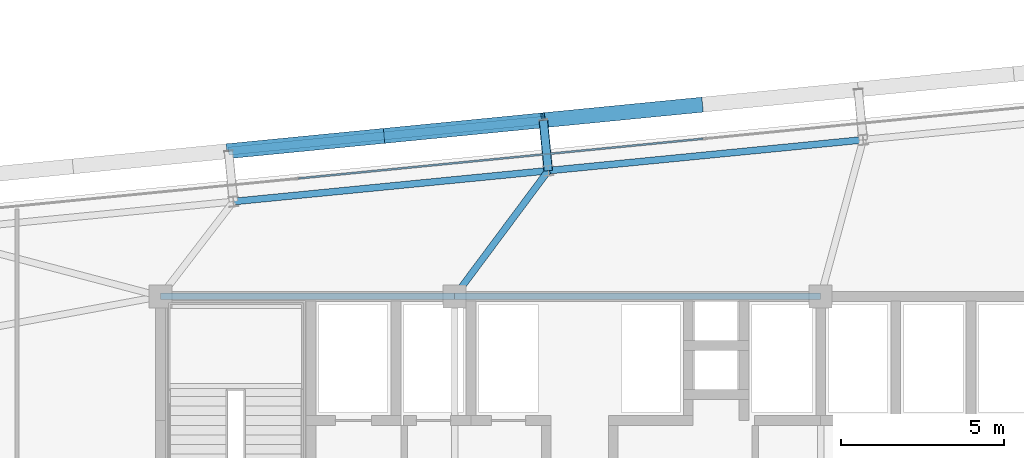
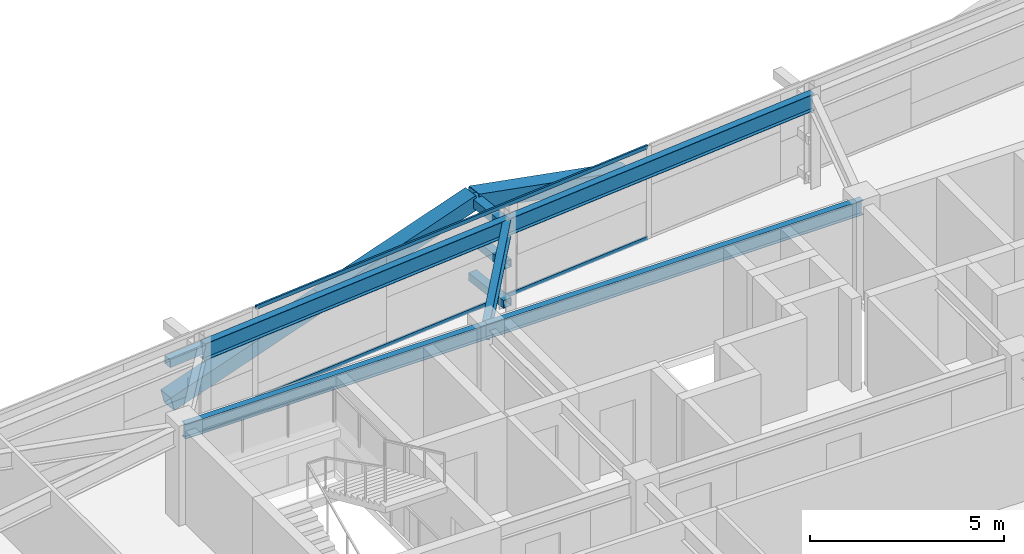
# One storey, part 26 of 47: 9 members, 5 beams, 1 element without a shape of its own.
"""IFC4 building model written with IfcOpenShell, lengths in metres."""

import ifcopenshell
import ifcopenshell.guid

model = None  # the IFC model being written
_history = None  # IfcOwnerHistory: only IFC2X3 demands one
_inside = {}  # id of a spatial element -> (the spatial element, [elements in it])
_under = {}  # id of a project, library or spatial element -> (it, [spatial elements below it])
_declared = {}  # id of a project -> (the project, [libraries it declares])
_typed = {}  # id of a type object -> (the type object, [elements of that type])
_made_of = {}  # id of a material, layer set ... -> (it, [elements and type objects made of it])


def new_model(schema):
    """Start an empty IFC model of exactly this schema.

    Asked for "IFC4X3", IfcOpenShell would pick the latest addendum, in which some entities
    have other attributes; the version numbers below select the first issue.
    IFC2X3 requires an IfcOwnerHistory on every rooted entity: one is made here for all.
    """
    global model, _history
    if schema == "IFC4X3":
        model = ifcopenshell.file(schema_version=(4, 3, 0, 0))
    else:
        model = ifcopenshell.file(schema=schema)
    _inside.clear()
    _under.clear()
    _declared.clear()
    _typed.clear()
    _made_of.clear()
    _history = None
    if model.schema == "IFC2X3":
        org = make("IfcOrganization", Name="unknown")
        user = make(
            "IfcPersonAndOrganization",
            ThePerson=make("IfcPerson", FamilyName="unknown"),
            TheOrganization=org,
        )
        app = make(
            "IfcApplication",
            ApplicationDeveloper=org,
            Version="unknown",
            ApplicationFullName="unknown",
            ApplicationIdentifier="unknown",
        )
        _history = make(
            "IfcOwnerHistory",
            OwningUser=user,
            OwningApplication=app,
            ChangeAction="ADDED",
            CreationDate=0,
        )
    return model


def make(cls, **values):
    """One entity of the class cls with the attributes given. An attribute that is None is left unset."""
    return model.create_entity(
        cls, **{name: value for name, value in values.items() if value is not None}
    )


def rooted(cls, **values):
    """An entity with a GlobalId (a new one), such as an element, a storey or a relation."""
    return make(cls, GlobalId=ifcopenshell.guid.new(), OwnerHistory=_history, **values)


def si_unit(unit_type, name, prefix=None):
    """IfcSIUnit, for example si_unit("LENGTHUNIT", "METRE", prefix="MILLI")."""
    return make("IfcSIUnit", UnitType=unit_type, Prefix=prefix, Name=name)


def assignment(units):
    """IfcUnitAssignment: the units of a project."""
    return None if units is None else make("IfcUnitAssignment", Units=units)


def point(xyz):
    """IfcCartesianPoint."""
    return None if xyz is None else make("IfcCartesianPoint", Coordinates=xyz)


def direction(xyz):
    """IfcDirection."""
    return None if xyz is None else make("IfcDirection", DirectionRatios=xyz)


def frame(location, z_axis=None, x_axis=None):
    """IfcAxis2Placement3D, a coordinate frame: its origin and axes. An axis left out is left unset."""
    return make(
        "IfcAxis2Placement3D",
        Location=point(location),
        Axis=direction(z_axis),
        RefDirection=direction(x_axis),
    )


def frame_2d(location, x_axis=None):
    """IfcAxis2Placement2D, a coordinate frame in the plane: its origin and x axis."""
    return make(
        "IfcAxis2Placement2D", Location=point(location), RefDirection=direction(x_axis)
    )


def origin():
    """The frame at (0, 0, 0) with its axes left unset."""
    return frame((0.0, 0.0, 0.0))


def origin_2d():
    """The frame at (0, 0) in the plane with its x axis left unset."""
    return frame_2d((0.0, 0.0))


def place(relative_to, where):
    """IfcLocalPlacement: puts the frame where relative to a parent placement (None: the world)."""
    return make(
        "IfcLocalPlacement", PlacementRelTo=relative_to, RelativePlacement=where
    )


def context(
    kind, dimensions, precision=None, world=None, true_north=None, identifier=None
):
    """IfcGeometricRepresentationContext, for example the 3D "Model" context."""
    return make(
        "IfcGeometricRepresentationContext",
        ContextIdentifier=identifier,
        ContextType=kind,
        CoordinateSpaceDimension=dimensions,
        Precision=precision,
        WorldCoordinateSystem=world,
        TrueNorth=true_north,
    )


def subcontext(parent, identifier, kind, view, scale=None):
    """IfcGeometricRepresentationSubContext, for example "Body" below "Model"."""
    return make(
        "IfcGeometricRepresentationSubContext",
        ContextIdentifier=identifier,
        ContextType=kind,
        ParentContext=parent,
        TargetScale=scale,
        TargetView=view,
    )


def project(units=None, contexts=None):
    """IfcProject with its units and contexts."""
    return rooted(
        "IfcProject",
        Name="project",
        RepresentationContexts=contexts,
        UnitsInContext=assignment(units),
    )


def spatial(cls, under=None, at=None, **own):
    """A site, building, storey or space (cls), placed at a placement, below another one or the project."""
    s = rooted(cls, ObjectPlacement=at, **own)
    if under is not None:
        _under.setdefault(under.id(), (under, []))[1].append(s)
    return s


def profile(cls, at=None, kind="AREA", **sizes):
    """A parametric profile (cls). Its sizes go by their IFC names, for example OverallWidth=200.0."""
    return make(cls, ProfileType=kind, Position=at, **sizes)


def hollow_rectangle(**sizes):
    """IfcRectangleHollowProfileDef."""
    return profile("IfcRectangleHollowProfileDef", **sizes)


def i_section(**sizes):
    """IfcIShapeProfileDef."""
    return profile("IfcIShapeProfileDef", **sizes)


def extrude(swept, where, along, depth):
    """IfcExtrudedAreaSolid: the profile swept, set in the frame where, extruded along a direction by depth."""
    return make(
        "IfcExtrudedAreaSolid",
        SweptArea=swept,
        Position=where,
        ExtrudedDirection=direction(along),
        Depth=depth,
    )


def shape(context_of_items, identifier, shape_type, items):
    """IfcShapeRepresentation: the items that make up one representation, for example the "Body"."""
    return make(
        "IfcShapeRepresentation",
        ContextOfItems=context_of_items,
        RepresentationIdentifier=identifier,
        RepresentationType=shape_type,
        Items=items,
    )


def source(mapping_origin, context_of_items, identifier, shape_type, items):
    """IfcRepresentationMap: a shape defined once, which mapped items show again and again."""
    return make(
        "IfcRepresentationMap",
        MappingOrigin=mapping_origin,
        MappedRepresentation=shape(context_of_items, identifier, shape_type, items),
    )


def transform(
    local_origin,
    x_axis=None,
    y_axis=None,
    z_axis=None,
    scale=None,
    scale2=None,
    scale3=None,
    uniform=True,
):
    """IfcCartesianTransformationOperator3D, or its non-uniform kind. x_axis, y_axis, z_axis: its Axis1, 2, 3."""
    if uniform:
        return make(
            "IfcCartesianTransformationOperator3D",
            Axis1=direction(x_axis),
            Axis2=direction(y_axis),
            LocalOrigin=point(local_origin),
            Scale=scale,
            Axis3=direction(z_axis),
        )
    return make(
        "IfcCartesianTransformationOperator3DnonUniform",
        Axis1=direction(x_axis),
        Axis2=direction(y_axis),
        LocalOrigin=point(local_origin),
        Scale=scale,
        Axis3=direction(z_axis),
        Scale2=scale2,
        Scale3=scale3,
    )


def mapped(mapping_source, mapping_target):
    """IfcMappedItem: shows the shape of a source again, moved by a transform."""
    return make(
        "IfcMappedItem", MappingSource=mapping_source, MappingTarget=mapping_target
    )


def material(Name=None, Category=None):
    """IfcMaterial."""
    return make("IfcMaterial", Name=Name, Category=Category)


def layer(
    of_material, thickness, ventilated=None, Name=None, Category=None, Priority=None
):
    """IfcMaterialLayer: one layer of a wall or slab, of a material (None: an air gap)."""
    return make(
        "IfcMaterialLayer",
        Material=of_material,
        LayerThickness=thickness,
        IsVentilated=ventilated,
        Name=Name,
        Category=Category,
        Priority=Priority,
    )


def layer_set(layers, Name=None):
    """IfcMaterialLayerSet."""
    return make("IfcMaterialLayerSet", MaterialLayers=layers, LayerSetName=Name)


def material_profile(
    of_material, cross_section, Name=None, Category=None, Priority=None
):
    """IfcMaterialProfile: a cross section and its material."""
    return make(
        "IfcMaterialProfile",
        Name=Name,
        Material=of_material,
        Profile=cross_section,
        Priority=Priority,
        Category=Category,
    )


def profile_set(profiles, Name=None, composite=None):
    """IfcMaterialProfileSet."""
    return make(
        "IfcMaterialProfileSet",
        Name=Name,
        MaterialProfiles=profiles,
        CompositeProfile=composite,
    )


def made_of(thing, what):
    """Note that an element or type object is made of a material, layer set ...; save() writes the relation."""
    if what is not None:
        _made_of.setdefault(what.id(), (what, []))[1].append(thing)
    return thing


def type_object(cls, material=None, **own):
    """A type object (cls), such as IfcWallType, which elements share."""
    return made_of(rooted(cls, **own), material)


def element(
    cls,
    number,
    at=None,
    inside=None,
    cuts=None,
    type_object=None,
    material=None,
    context=None,
    identifier="Body",
    shape_type=None,
    held_by="IfcProductDefinitionShape",
    body=None,
    shapes=None,
    **own,
):
    """One element of the class cls, such as IfcWall. Its Tag is "e" and its number.

    at: its placement. inside: the storey or other place that contains it. cuts: it is an
    opening in that element (IfcRelVoidsElement). A single representation is given by context,
    identifier, shape_type and body (its items); several are given by shapes. held_by: the class
    of the entity that holds the representations. save() writes the other relations.
    """
    e = rooted(cls, Tag="e%d" % number, ObjectPlacement=at, **own)
    if body is not None:
        shapes = [shape(context, identifier, shape_type, body)]
    if shapes is not None:
        e.Representation = make(held_by, Representations=shapes)
    if inside is not None:
        _inside.setdefault(inside.id(), (inside, []))[1].append(e)
    if cuts is not None:
        rooted(
            "IfcRelVoidsElement", RelatingBuildingElement=cuts, RelatedOpeningElement=e
        )
    if type_object is not None:
        _typed.setdefault(type_object.id(), (type_object, []))[1].append(e)
    return made_of(e, material)


def aggregate(whole, parts):
    """IfcRelAggregates: a whole, such as a stair, and the parts it consists of."""
    return rooted("IfcRelAggregates", RelatingObject=whole, RelatedObjects=parts)


def save(model, path):
    """Write the relations noted so far, then the file.

    IfcRelAggregates (storeys below a building ...), IfcRelContainedInSpatialStructure (elements
    in a storey), IfcRelDefinesByType, IfcRelAssociatesMaterial and IfcRelDeclares: one each for
    every whole, place, type object, material and project.
    """
    for whole, parts in _under.values():
        aggregate(whole, parts)
    for where, things in _inside.values():
        rooted(
            "IfcRelContainedInSpatialStructure",
            RelatedElements=things,
            RelatingStructure=where,
        )
    for kind, things in _typed.values():
        rooted("IfcRelDefinesByType", RelatedObjects=things, RelatingType=kind)
    for what, things in _made_of.values():
        rooted("IfcRelAssociatesMaterial", RelatedObjects=things, RelatingMaterial=what)
    for by, libraries in _declared.values():
        rooted("IfcRelDeclares", RelatingContext=by, RelatedDefinitions=libraries)
    model.write(path)


model = new_model("IFC4")

# Units and contexts
model_context = context("Model", 3, precision=1e-05, world=origin(), true_north=direction((0.0, 1.0)))
body_context = subcontext(model_context, "Body", "Model", "MODEL_VIEW")
ifc_project = project(units=[si_unit("LENGTHUNIT", "METRE"), si_unit("AREAUNIT", "SQUARE_METRE"), si_unit("VOLUMEUNIT", "CUBIC_METRE"), si_unit("PLANEANGLEUNIT", "RADIAN"), si_unit("MASSUNIT", "GRAM", prefix="KILO")], contexts=[model_context])

# Site, building, storey
site_placement = place(None, origin())
site = spatial("IfcSite", under=ifc_project, at=site_placement, CompositionType="ELEMENT")
building_placement = place(site_placement, origin())
building = spatial("IfcBuilding", under=site, at=building_placement, Name="Taldren Reach Tower", CompositionType="ELEMENT")
storey_placement = place(building_placement, frame((0.0, 0.0, 90.300048828125)))
storey = spatial("IfcBuildingStorey", under=building, at=storey_placement, Name="L27", CompositionType="ELEMENT", Elevation=90.300048828125)

# Beams
ifc_material_1 = material(Name="Steel Gr 350 (350PLUS)", Category="steel")
ifc_material_profile_1 = material_profile(ifc_material_1, i_section(OverallWidth=0.19091796875, OverallDepth=0.4599609375, WebThickness=0.010009765625, FlangeThickness=0.01611328125, at=origin_2d()), Name="460UB82.1")
ifc_profile_set_1 = profile_set([ifc_material_profile_1], Name="Steel Gr 350 (350PLUS)")
beam_type_1 = type_object("IfcBeamType", Name="BM-UB460A", PredefinedType="BEAM", material=ifc_profile_set_1)
shared_shape_1 = source(origin(), body_context, "Body", "SweptSolid", [
    extrude(i_section(OverallWidth=0.19091796875, OverallDepth=0.4599609375, WebThickness=0.010009765625, FlangeThickness=0.01611328125, at=origin_2d()), origin(), (0.0, 0.0, 1.0), 9.0),
])
beam_1_placement = place(storey_placement, frame((19.0, 32.0, 2.699951171875), z_axis=(1.0, 0.0, 0.0), x_axis=(0.0, 1.0, 0.0)))
element("IfcBeam", 1, at=beam_1_placement, inside=storey, type_object=beam_type_1, Name="Core-spine girder L27-SP04", PredefinedType="BEAM", context=body_context, shape_type="MappedRepresentation", body=[
    mapped(shared_shape_1, transform((0.0, 0.0, 0.0), scale=1.0)),
])
shared_shape_2 = source(origin(), body_context, "Body", "SweptSolid", [
    extrude(i_section(OverallWidth=0.19091796875, OverallDepth=0.4599609375, WebThickness=0.010009765625, FlangeThickness=0.01611328125, at=origin_2d()), origin(), (0.0, 0.0, 1.0), 11.199951171875),
])
beam_2_placement = place(storey_placement, frame((28.0, 32.0, 2.699951171875), z_axis=(1.0, 0.0, 0.0), x_axis=(0.0, 1.0, 0.0)))
element("IfcBeam", 2, at=beam_2_placement, inside=storey, type_object=beam_type_1, Name="Core-spine girder L27-SP05", PredefinedType="BEAM", context=body_context, shape_type="MappedRepresentation", body=[
    mapped(shared_shape_2, transform((0.0, 0.0, 0.0), scale=1.0)),
])

# Members
ifc_material_2 = material(Name="Steel Gr 450 (C450L0)", Category="steel")
ifc_material_profile_2 = material_profile(ifc_material_2, hollow_rectangle(XDim=0.27490234375, YDim=0.27490234375, WallThickness=0.00927734375, at=origin_2d()), Name="275x275x9.3SHS")
ifc_profile_set_2 = profile_set([ifc_material_profile_2], Name="Steel Gr 450 (C450L0)")
member_type_1 = type_object("IfcMemberType", Name="MB-TIE273", PredefinedType="STRUT", material=ifc_profile_set_2)
shared_shape_3 = source(origin(), body_context, "Body", "SweptSolid", [
    extrude(hollow_rectangle(XDim=0.27490234375, YDim=0.27490234375, WallThickness=0.00927734375, at=origin_2d()), origin(), (0.0, 0.0, 1.0), 1.5498046875),
])
member_1_placement = place(storey_placement, frame((30.864501953125, 35.84619140625, 2.64990234375), z_axis=(-0.097663201064, 0.995219523099, 0.0), x_axis=(-0.995219523099, -0.097663201064, 0.0)))
element("IfcMember", 3, at=member_1_placement, inside=storey, type_object=member_type_1, Name="Exoskeleton diaphragm tie strut B2-N3 L27", PredefinedType="STRUT", context=body_context, shape_type="MappedRepresentation", body=[
    mapped(shared_shape_3, transform((0.0, 0.0, 0.0), scale=1.0)),
])
ifc_material_3 = material(Name="Steel Gr 350 (C350L0)", Category="steel")
ifc_material_profile_3 = material_profile(ifc_material_3, hollow_rectangle(XDim=0.25, YDim=0.25, WallThickness=0.010009765625, at=origin_2d()), Name="250x250x10.0SHS")
ifc_profile_set_3 = profile_set([ifc_material_profile_3], Name="Steel Gr 350 (C350L0)")
member_type_2 = type_object("IfcMemberType", Name="MB-POST250", PredefinedType="POST", material=ifc_profile_set_3)
shared_shape_4 = source(origin(), body_context, "Body", "SweptSolid", [
    extrude(hollow_rectangle(XDim=0.25, YDim=0.25, WallThickness=0.010009765625, at=origin_2d()), origin(), (0.0, 0.0, 1.0), 1.5498046875),
])
for number, where, z_axis, x_axis, name in (
    (4, (30.864501953125, 35.84619140625, 0.219970703125), (-0.097663201064, 0.995219523099, 0.0), (-0.995219523099, -0.097663201064, 0.0), "Exoskeleton base diaphragm tie strut B2-N3 L27"),
    (5, (30.864501953125, 35.84619140625, 1.43505859375), (-0.097663201064, 0.995219523099, 0.0), (-0.995219523099, -0.097663201064, 0.0), "Exoskeleton mid-tier diaphragm tie B2-N3 L27"),
):
    element("IfcMember", number, at=place(storey_placement, frame(where, z_axis=z_axis, x_axis=x_axis)), inside=storey, type_object=member_type_2, Name=name, PredefinedType="POST", context=body_context, shape_type="MappedRepresentation", body=[
        mapped(shared_shape_4, transform((0.0, 0.0, 0.0), scale=1.0)),
    ])

# Beams
ifc_material_profile_4 = material_profile(ifc_material_1, i_section(OverallWidth=0.208984375, OverallDepth=0.528076171875, WebThickness=0.009521484375, FlangeThickness=0.01318359375, at=origin_2d()), Name="530UB82.0")
ifc_profile_set_4 = profile_set([ifc_material_profile_4], Name="Steel Gr 350 (350PLUS)")
beam_type_2 = type_object("IfcBeamType", Name="SP-UB530B", PredefinedType="SPANDREL", material=ifc_profile_set_4)
shared_shape_5 = source(origin(), body_context, "Body", "SweptSolid", [
    extrude(i_section(OverallWidth=0.208984375, OverallDepth=0.528076171875, WebThickness=0.009521484375, FlangeThickness=0.01318359375, at=origin_2d()), origin(), (0.0, 0.0, 1.0), 9.679931640625),
])
for number, where, z_axis, x_axis, name in (
    (6, (40.498291015625, 36.790771484375, 2.666015625), (-0.995227612658, -0.097580730699, 0.0), (0.097580730699, -0.995227612658, 0.0), "Perimeter spandrel B2 N4-N3 L27"),
    (7, (30.864501953125, 35.84619140625, 2.666015625), (-0.995225162995, -0.097605711627, 0.0), (0.097605711627, -0.995225162995, 0.0), "Perimeter spandrel B2 N3-N2 L27"),
):
    element("IfcBeam", number, at=place(storey_placement, frame(where, z_axis=z_axis, x_axis=x_axis)), inside=storey, type_object=beam_type_2, Name=name, PredefinedType="SPANDREL", context=body_context, shape_type="MappedRepresentation", body=[
        mapped(shared_shape_5, transform((0.0, 0.0, 0.0), scale=1.0)),
    ])
ifc_material_profile_5 = material_profile(ifc_material_1, i_section(OverallWidth=0.208984375, OverallDepth=0.532958984375, WebThickness=0.01025390625, FlangeThickness=0.015625, at=origin_2d()), Name="530UB92.4")
ifc_profile_set_5 = profile_set([ifc_material_profile_5], Name="Steel Gr 350 (350PLUS)")
beam_type_3 = type_object("IfcBeamType", Name="BM-UB530A", PredefinedType="BEAM", material=ifc_profile_set_5)
shared_shape_6 = source(origin(), body_context, "Body", "SweptSolid", [
    extrude(i_section(OverallWidth=0.208984375, OverallDepth=0.532958984375, WebThickness=0.01025390625, FlangeThickness=0.015625, at=origin_2d()), origin(), (0.0, 0.0, 1.0), 4.795654296875),
])
beam_3_placement = place(storey_placement, frame((28.0, 32.0, 2.663330078125), z_axis=(0.59730864792, 0.802011458223, 0.0), x_axis=(-0.802011458223, 0.59730864792, 0.0)))
element("IfcBeam", 8, at=beam_3_placement, inside=storey, type_object=beam_type_3, Name="Primary floor girder B2-N3 L27", PredefinedType="BEAM", context=body_context, shape_type="MappedRepresentation", body=[
    mapped(shared_shape_6, transform((0.0, 0.0, 0.0), scale=1.0)),
])

# Members
ifc_material_profile_6 = material_profile(ifc_material_2, hollow_rectangle(XDim=0.4599609375, YDim=0.4599609375, WallThickness=0.01611328125, at=origin_2d()), Name="460x460x16.0SHS")
ifc_profile_set_6 = profile_set([ifc_material_profile_6], Name="Steel Gr 450 (C450L0)")
member_type_3 = type_object("IfcMemberType", Name="MB-EXO457", PredefinedType="BRACE", material=ifc_profile_set_6)
shared_shape_7 = source(origin(), body_context, "Body", "SweptSolid", [
    extrude(hollow_rectangle(XDim=0.4599609375, YDim=0.4599609375, WallThickness=0.01611328125, at=origin_2d()), origin(), (0.0, 0.0, 1.0), 4.990234375),
])
for number, where, z_axis, x_axis, name in (
    (9, (21.079345703125, 36.444091796875, 0.219970703125), (0.965271056716, 0.094667992638, 0.243494883389), (-0.097605711627, 0.995225162995, 0.0), "Exoskeleton Diagrid Brace B2-N2 L27"),
    (10, (25.896240234375, 36.91650390625, 1.43505859375), (0.965287024526, 0.094620633828, 0.24344998652), (-0.097555749586, 0.995230061706, 0.0), "Exoskeleton Diagrid Brace B2-N2 L27"),
    (11, (35.530029296875, 37.861083984375, 1.43505859375), (-0.965282554799, -0.094669120301, 0.243448859234), (0.097605711627, -0.995225162995, 0.0), "Exoskeleton Diagrid Brace B2-N3 L27"),
):
    element("IfcMember", number, at=place(storey_placement, frame(where, z_axis=z_axis, x_axis=x_axis)), inside=storey, type_object=member_type_3, Name=name, PredefinedType="BRACE", context=body_context, shape_type="MappedRepresentation", body=[
        mapped(shared_shape_7, transform((0.0, 0.0, 0.0), scale=1.0)),
    ])
shared_shape_8 = source(origin(), body_context, "Body", "SweptSolid", [
    extrude(hollow_rectangle(XDim=0.25, YDim=0.25, WallThickness=0.010009765625, at=origin_2d()), origin(), (0.0, 0.0, 1.0), 9.679931640625),
])
member_2_placement = place(storey_placement, frame((21.079345703125, 36.444091796875, 1.43505859375), z_axis=(0.995227612658, 0.097580730699, 0.0), x_axis=(-0.097580730699, 0.995227612658, 0.0)))
element("IfcMember", 12, at=member_2_placement, inside=storey, type_object=member_type_2, Name="Exoskeleton mid-height ring chord B2-N2 L27", PredefinedType="POST", context=body_context, shape_type="MappedRepresentation", body=[
    mapped(shared_shape_8, transform((0.0, 0.0, 0.0), scale=1.0)),
])

# Curtain wall, members
ifc_material_4 = material(Name="Aluminium and Low-E Glass Unitised System", Category="aluminium")
ifc_layer = layer(ifc_material_4, 0.159912109375)
ifc_layer_set = layer_set([ifc_layer], Name="Aluminium and Low-E Glass Unitised System")
curtain_wall_type = type_object("IfcCurtainWallType", Name="CW-SYS-3", PredefinedType="NOTDEFINED", material=ifc_layer_set)
curtain_wall_placement = place(storey_placement, origin())
curtain_wall = element("IfcCurtainWall", 13, at=curtain_wall_placement, inside=storey, type_object=curtain_wall_type, Name="Unitised curtain wall CW-L27-N", PredefinedType="NOTDEFINED")
ifc_material_5 = material(Name="Anodised Aluminium 6063-T6", Category="aluminium")
ifc_material_profile_7 = material_profile(ifc_material_5, hollow_rectangle(XDim=0.054931640625, YDim=0.1201171875, WallThickness=0.0029296875, at=origin_2d()), Name="ALU-120x55x3RHS")
ifc_profile_set_7 = profile_set([ifc_material_profile_7], Name="Anodised Aluminium 6063-T6")
member_type_4 = type_object("IfcMemberType", Name="CW-TRN-135", PredefinedType="USERDEFINED", material=ifc_profile_set_7)
shared_shape_9 = source(origin(), body_context, "Body", "SweptSolid", [
    extrude(hollow_rectangle(XDim=0.054931640625, YDim=0.1201171875, WallThickness=0.0029296875, at=origin_2d()), origin(), (0.0, 0.0, 1.0), 12.434814453125),
])
member_3_placement = place(storey_placement, frame((35.59912109375, 36.82275390625, 0.02734375), z_axis=(-0.995227777428, -0.097579050184, 0.0), x_axis=(0.097579050184, -0.995227777428, 0.0)))
member_3 = element("IfcMember", 14, at=member_3_placement, type_object=member_type_4, Name="CW-3 transom 3.1", ObjectType="TRANSOM", PredefinedType="USERDEFINED", context=body_context, shape_type="MappedRepresentation", body=[
    mapped(shared_shape_9, transform((0.0, 0.0, 0.0), scale=1.0)),
])
member_4_placement = place(storey_placement, frame((35.59912109375, 36.82275390625, 2.90234375), z_axis=(-0.995227777428, -0.097579050184, 0.0), x_axis=(0.097579050184, -0.995227777428, 0.0)))
member_4 = element("IfcMember", 15, at=member_4_placement, type_object=member_type_4, Name="CW-3 transom 3.2", ObjectType="TRANSOM", PredefinedType="USERDEFINED", context=body_context, shape_type="MappedRepresentation", body=[
    mapped(shared_shape_9, transform((0.0, 0.0, 0.0), scale=1.0)),
])
aggregate(curtain_wall, [member_3, member_4])

save(model, "model.ifc")
